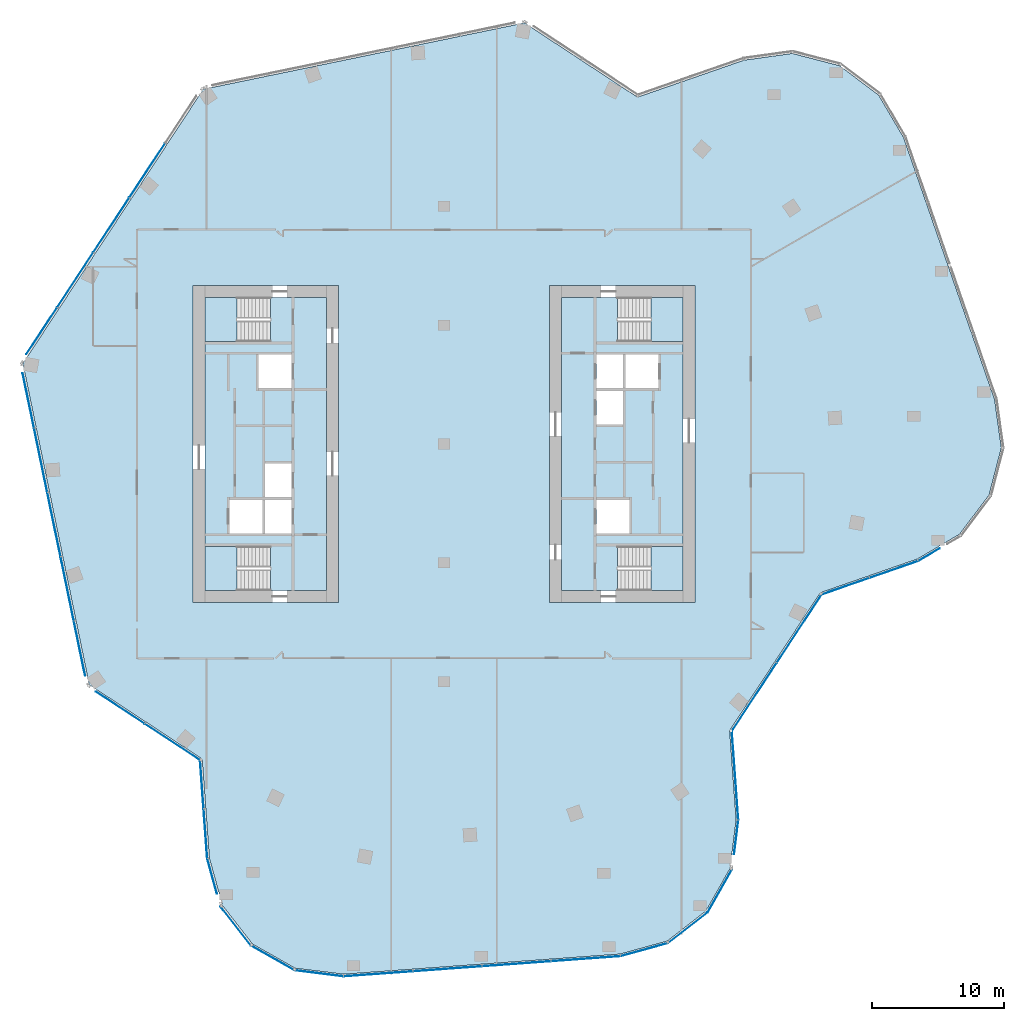
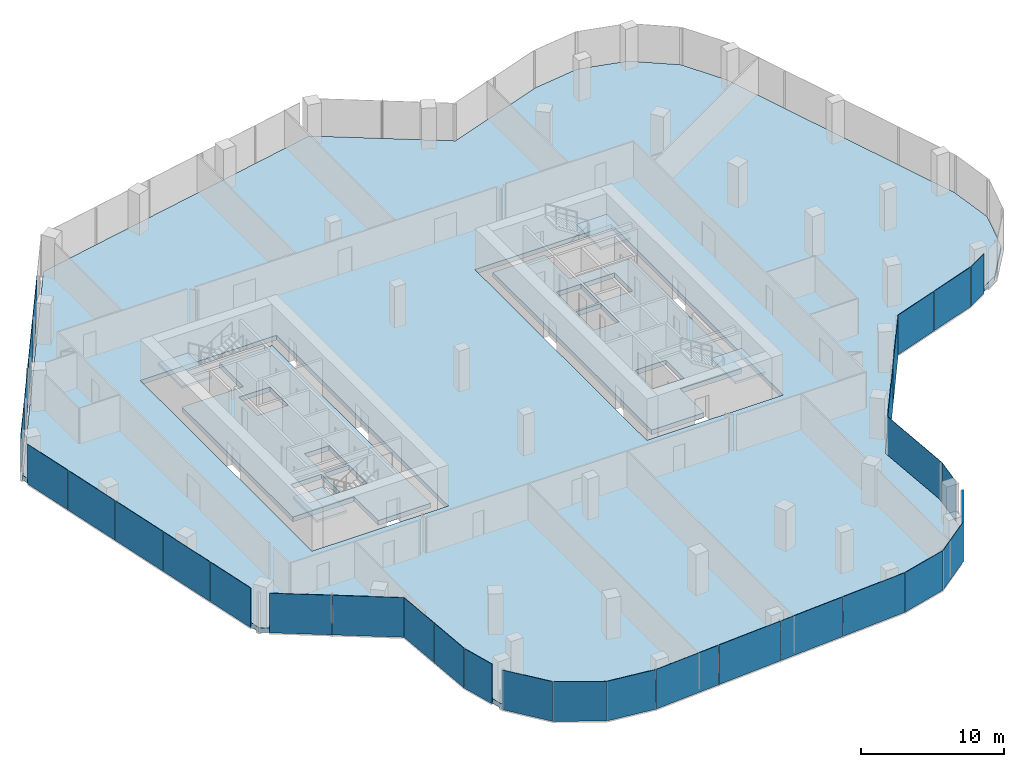
# One storey, part 16 of 24: 31 plates, 7 slabs, 21 elements without a shape of their own.
"""IFC4 building model written with IfcOpenShell, lengths in metres."""

from ifc_helpers import new_model, si_unit, direction, frame, origin, origin_2d, place, context, subcontext, project, spatial, polyline, rectangle, outline, extrude, material, layer, layer_set, type_object, element, aggregate, save


model = new_model("IFC4")

# Units and contexts
model_context = context("Model", 3, precision=1e-05, world=origin(), true_north=direction((0.0, 1.0)))
body_context = subcontext(model_context, "Body", "Model", "MODEL_VIEW")
ifc_project = project(units=[si_unit("LENGTHUNIT", "METRE"), si_unit("AREAUNIT", "SQUARE_METRE"), si_unit("VOLUMEUNIT", "CUBIC_METRE"), si_unit("PLANEANGLEUNIT", "RADIAN"), si_unit("MASSUNIT", "GRAM", prefix="KILO")], contexts=[model_context])

# Site, building, storey
site_placement = place(None, origin())
site = spatial("IfcSite", under=ifc_project, at=site_placement, CompositionType="ELEMENT")
building_placement = place(site_placement, origin())
building = spatial("IfcBuilding", under=site, at=building_placement, Name="Orlundy Tower", CompositionType="ELEMENT")
storey_placement = place(building_placement, frame((0.0, 0.0, 239.0)))
storey = spatial("IfcBuildingStorey", under=building, at=storey_placement, Name="L63", CompositionType="ELEMENT", Elevation=239.0)

# Curtain wall, plates
ifc_material_1 = material(Name="Aluminium bronze anodised", Category="aluminium")
curtain_wall_type = type_object("IfcCurtainWallType", Name="CW1 wall", PredefinedType="NOTDEFINED", material=ifc_material_1)
curtain_wall_1_placement = place(storey_placement, origin())
curtain_wall_1 = element("IfcCurtainWall", 1, at=curtain_wall_1_placement, inside=storey, type_object=curtain_wall_type, Name="CW1 run 00", PredefinedType="NOTDEFINED")
ifc_material_2 = material(Name="Tinted glass", Category="glass")
ifc_layer_1 = layer(ifc_material_2, 0.031982421875)
ifc_layer_set_1 = layer_set([ifc_layer_1], Name="CW1 glass panel 32")
plate_type = type_object("IfcPlateType", Name="CW1 glass panel 32", PredefinedType="CURTAIN_PANEL", material=ifc_layer_set_1)
plate_1_placement = place(storey_placement, frame((34.071044921875, -9.505126953125, -0.280029296875), z_axis=(0.0, 0.0, 1.0), x_axis=(-0.944599002584, -0.328226635601, 0.0)))
plate_1 = element("IfcPlate", 2, at=plate_1_placement, type_object=plate_type, Name="CW1 panel", PredefinedType="CURTAIN_PANEL", context=body_context, shape_type="SweptSolid", body=[
    extrude(rectangle(XDim=3.858154296875, YDim=0.031982421875, at=origin_2d()), origin(), (0.0, 0.0, 1.0), 3.3798828125),
])
plate_2_placement = place(storey_placement, frame((30.401611328125, -10.780029296875, -0.280029296875), z_axis=(0.0, 0.0, 1.0), x_axis=(-0.944599002584, -0.328226635601, 0.0)))
plate_2 = element("IfcPlate", 3, at=plate_2_placement, type_object=plate_type, Name="CW1 panel", PredefinedType="CURTAIN_PANEL", context=body_context, shape_type="SweptSolid", body=[
    extrude(rectangle(XDim=3.8115234375, YDim=0.031982421875, at=origin_2d()), origin(), (0.0, 0.0, 1.0), 3.3798828125),
])
aggregate(curtain_wall_1, [plate_1, plate_2])

curtain_wall_2_placement = place(storey_placement, origin())
curtain_wall_2 = element("IfcCurtainWall", 4, at=curtain_wall_2_placement, inside=storey, type_object=curtain_wall_type, Name="CW1 run 01", PredefinedType="NOTDEFINED")
plate_3_placement = place(storey_placement, frame((26.908447265625, -13.97998046875, -0.280029296875), z_axis=(0.0, 0.0, 1.0), x_axis=(-0.549495877226, -0.835496427827, 0.0)))
plate_3 = element("IfcPlate", 5, at=plate_3_placement, type_object=plate_type, Name="CW1 panel", PredefinedType="CURTAIN_PANEL", context=body_context, shape_type="SweptSolid", body=[
    extrude(rectangle(XDim=6.162353515625, YDim=0.031982421875, at=origin_2d()), origin(), (0.0, 0.0, 1.0), 3.3798828125),
])
plate_4_placement = place(storey_placement, frame((23.49462890625, -19.17041015625, -0.280029296875), z_axis=(0.0, 0.0, 1.0), x_axis=(-0.549495877226, -0.835496427827, 0.0)))
plate_4 = element("IfcPlate", 6, at=plate_4_placement, type_object=plate_type, Name="CW1 panel", PredefinedType="CURTAIN_PANEL", context=body_context, shape_type="SweptSolid", body=[
    extrude(rectangle(XDim=6.162353515625, YDim=0.031982421875, at=origin_2d()), origin(), (0.0, 0.0, 1.0), 3.3798828125),
])
aggregate(curtain_wall_2, [plate_3, plate_4])

# Curtain wall, plate
curtain_wall_3_placement = place(storey_placement, origin())
curtain_wall_3 = element("IfcCurtainWall", 7, at=curtain_wall_3_placement, inside=storey, type_object=curtain_wall_type, Name="CW1 run 02", PredefinedType="NOTDEFINED")
plate_5_placement = place(storey_placement, frame((22.045654296875, -25.095947265625, -0.280029296875), z_axis=(0.0, 0.0, 1.0), x_axis=(0.072660980026, -0.997356697467, 0.0)))
plate_5 = element("IfcPlate", 8, at=plate_5_placement, type_object=plate_type, Name="CW1 panel", PredefinedType="CURTAIN_PANEL", context=body_context, shape_type="SweptSolid", body=[
    extrude(rectangle(XDim=6.72021484375, YDim=0.031982421875, at=origin_2d()), origin(), (0.0, 0.0, 1.0), 3.3798828125),
])
aggregate(curtain_wall_3, [plate_5])

curtain_wall_4_placement = place(storey_placement, origin())
curtain_wall_4 = element("IfcCurtainWall", 9, at=curtain_wall_4_placement, inside=storey, type_object=curtain_wall_type, Name="CW1 run 03", PredefinedType="NOTDEFINED")
plate_6_placement = place(storey_placement, frame((22.12939453125, -29.779296875, -0.280029296875), z_axis=(0.0, 0.0, 1.0), x_axis=(-0.12330413281, -0.992368928792, 0.0)))
plate_6 = element("IfcPlate", 10, at=plate_6_placement, type_object=plate_type, Name="CW1 panel", PredefinedType="CURTAIN_PANEL", context=body_context, shape_type="SweptSolid", body=[
    extrude(rectangle(XDim=2.584228515625, YDim=0.031982421875, at=origin_2d()), origin(), (0.0, 0.0, 1.0), 3.3798828125),
])
aggregate(curtain_wall_4, [plate_6])

curtain_wall_5_placement = place(storey_placement, origin())
curtain_wall_5 = element("IfcCurtainWall", 11, at=curtain_wall_5_placement, inside=storey, type_object=curtain_wall_type, Name="CW1 run 04", PredefinedType="NOTDEFINED")
plate_7_placement = place(storey_placement, frame((20.897705078125, -33.83837890625, -0.280029296875), z_axis=(0.0, 0.0, 1.0), x_axis=(-0.493754430095, -0.869601381531, 0.0)))
plate_7 = element("IfcPlate", 12, at=plate_7_placement, type_object=plate_type, Name="CW1 panel", PredefinedType="CURTAIN_PANEL", context=body_context, shape_type="SweptSolid", body=[
    extrude(rectangle(XDim=3.771484375, YDim=0.031982421875, at=origin_2d()), origin(), (0.0, 0.0, 1.0), 3.3798828125),
])
aggregate(curtain_wall_5, [plate_7])

curtain_wall_6_placement = place(storey_placement, origin())
curtain_wall_6 = element("IfcCurtainWall", 13, at=curtain_wall_6_placement, inside=storey, type_object=curtain_wall_type, Name="CW1 run 05", PredefinedType="NOTDEFINED")
plate_8_placement = place(storey_placement, frame((18.478759765625, -36.637451171875, -0.280029296875), z_axis=(0.0, 0.0, 1.0), x_axis=(-0.788858043661, -0.614575452611, 0.0)))
plate_8 = element("IfcPlate", 14, at=plate_8_placement, type_object=plate_type, Name="CW1 panel", PredefinedType="CURTAIN_PANEL", context=body_context, shape_type="SweptSolid", body=[
    extrude(rectangle(XDim=3.77197265625, YDim=0.031982421875, at=origin_2d()), origin(), (0.0, 0.0, 1.0), 3.3798828125),
])
aggregate(curtain_wall_6, [plate_8])

curtain_wall_7_placement = place(storey_placement, origin())
curtain_wall_7 = element("IfcCurtainWall", 15, at=curtain_wall_7_placement, inside=storey, type_object=curtain_wall_type, Name="CW1 run 06", PredefinedType="NOTDEFINED")
plate_9_placement = place(storey_placement, frame((15.192626953125, -38.29248046875, -0.280029296875), z_axis=(0.0, 0.0, 1.0), x_axis=(-0.96398784948, -0.265946284152, 0.0)))
plate_9 = element("IfcPlate", 16, at=plate_9_placement, type_object=plate_type, Name="CW1 panel", PredefinedType="CURTAIN_PANEL", context=body_context, shape_type="SweptSolid", body=[
    extrude(rectangle(XDim=3.731201171875, YDim=0.031982421875, at=origin_2d()), origin(), (0.0, 0.0, 1.0), 3.3798828125),
])
aggregate(curtain_wall_7, [plate_9])

# Curtain wall, plates
curtain_wall_8_placement = place(storey_placement, origin())
curtain_wall_8 = element("IfcCurtainWall", 17, at=curtain_wall_8_placement, inside=storey, type_object=curtain_wall_type, Name="CW1 run 07", PredefinedType="NOTDEFINED")
plate_10_placement = place(storey_placement, frame((10.743896484375, -38.98681640625, -0.280029296875), z_axis=(0.0, 0.0, 1.0), x_axis=(-0.997356161969, -0.072668329988, 0.0)))
plate_10 = element("IfcPlate", 18, at=plate_10_placement, type_object=plate_type, Name="CW1 panel", PredefinedType="CURTAIN_PANEL", context=body_context, shape_type="SweptSolid", body=[
    extrude(rectangle(XDim=5.2158203125, YDim=0.031982421875, at=origin_2d()), origin(), (0.0, 0.0, 1.0), 3.3798828125),
])
plate_11_placement = place(storey_placement, frame((5.5, -39.368896484375, -0.280029296875), z_axis=(0.0, 0.0, 1.0), x_axis=(-0.997356161969, -0.072668329988, 0.0)))
plate_11 = element("IfcPlate", 19, at=plate_11_placement, type_object=plate_type, Name="CW1 panel", PredefinedType="CURTAIN_PANEL", context=body_context, shape_type="SweptSolid", body=[
    extrude(rectangle(XDim=5.199951171875, YDim=0.031982421875, at=origin_2d()), origin(), (0.0, 0.0, 1.0), 3.3798828125),
])
plate_12_placement = place(storey_placement, frame((0.263916015625, -39.750244140625, -0.280029296875), z_axis=(0.0, 0.0, 1.0), x_axis=(-0.997356161969, -0.072668329988, 0.0)))
plate_12 = element("IfcPlate", 20, at=plate_12_placement, type_object=plate_type, Name="CW1 panel", PredefinedType="CURTAIN_PANEL", context=body_context, shape_type="SweptSolid", body=[
    extrude(rectangle(XDim=5.199951171875, YDim=0.031982421875, at=origin_2d()), origin(), (0.0, 0.0, 1.0), 3.3798828125),
])
plate_13_placement = place(storey_placement, frame((-4.97998046875, -40.13232421875, -0.280029296875), z_axis=(0.0, 0.0, 1.0), x_axis=(-0.997356161969, -0.072668329988, 0.0)))
plate_13 = element("IfcPlate", 21, at=plate_13_placement, type_object=plate_type, Name="CW1 panel", PredefinedType="CURTAIN_PANEL", context=body_context, shape_type="SweptSolid", body=[
    extrude(rectangle(XDim=5.2158203125, YDim=0.031982421875, at=origin_2d()), origin(), (0.0, 0.0, 1.0), 3.3798828125),
])
aggregate(curtain_wall_8, [plate_10, plate_11, plate_12, plate_13])

# Curtain wall, plate
curtain_wall_9_placement = place(storey_placement, origin())
curtain_wall_9 = element("IfcCurtainWall", 22, at=curtain_wall_9_placement, inside=storey, type_object=curtain_wall_type, Name="CW1 run 08", PredefinedType="NOTDEFINED")
plate_14_placement = place(storey_placement, frame((-9.482421875, -40.090087890625, -0.280029296875), z_axis=(0.0, 0.0, 1.0), x_axis=(-0.992339997357, 0.123536754229, 0.0)))
plate_14 = element("IfcPlate", 23, at=plate_14_placement, type_object=plate_type, Name="CW1 panel", PredefinedType="CURTAIN_PANEL", context=body_context, shape_type="SweptSolid", body=[
    extrude(rectangle(XDim=3.73095703125, YDim=0.031982421875, at=origin_2d()), origin(), (0.0, 0.0, 1.0), 3.3798828125),
])
aggregate(curtain_wall_9, [plate_14])

curtain_wall_10_placement = place(storey_placement, origin())
curtain_wall_10 = element("IfcCurtainWall", 24, at=curtain_wall_10_placement, inside=storey, type_object=curtain_wall_type, Name="CW1 run 09", PredefinedType="NOTDEFINED")
plate_15_placement = place(storey_placement, frame((-12.973388671875, -38.9287109375, -0.280029296875), z_axis=(0.0, 0.0, 1.0), x_axis=(-0.869601381531, 0.493754430095, 0.0)))
plate_15 = element("IfcPlate", 25, at=plate_15_placement, type_object=plate_type, Name="CW1 panel", PredefinedType="CURTAIN_PANEL", context=body_context, shape_type="SweptSolid", body=[
    extrude(rectangle(XDim=3.771484375, YDim=0.031982421875, at=origin_2d()), origin(), (0.0, 0.0, 1.0), 3.3798828125),
])
aggregate(curtain_wall_10, [plate_15])

curtain_wall_11_placement = place(storey_placement, origin())
curtain_wall_11 = element("IfcCurtainWall", 26, at=curtain_wall_11_placement, inside=storey, type_object=curtain_wall_type, Name="CW1 run 010", PredefinedType="NOTDEFINED")
plate_16_placement = place(storey_placement, frame((-15.7724609375, -36.509765625, -0.280029296875), z_axis=(0.0, 0.0, 1.0), x_axis=(-0.614575452611, 0.788858043661, 0.0)))
plate_16 = element("IfcPlate", 27, at=plate_16_placement, type_object=plate_type, Name="CW1 panel", PredefinedType="CURTAIN_PANEL", context=body_context, shape_type="SweptSolid", body=[
    extrude(rectangle(XDim=3.77197265625, YDim=0.031982421875, at=origin_2d()), origin(), (0.0, 0.0, 1.0), 3.3798828125),
])
aggregate(curtain_wall_11, [plate_16])

curtain_wall_12_placement = place(storey_placement, origin())
curtain_wall_12 = element("IfcCurtainWall", 28, at=curtain_wall_12_placement, inside=storey, type_object=curtain_wall_type, Name="CW1 run 011", PredefinedType="NOTDEFINED")
plate_17_placement = place(storey_placement, frame((-17.559814453125, -32.742431640625, -0.280029296875), z_axis=(0.0, 0.0, 1.0), x_axis=(-0.265764722051, 0.964037920682, 0.0)))
plate_17 = element("IfcPlate", 29, at=plate_17_placement, type_object=plate_type, Name="CW1 panel", PredefinedType="CURTAIN_PANEL", context=body_context, shape_type="SweptSolid", body=[
    extrude(rectangle(XDim=2.730712890625, YDim=0.031982421875, at=origin_2d()), origin(), (0.0, 0.0, 1.0), 3.3798828125),
])
aggregate(curtain_wall_12, [plate_17])

# Curtain wall, plates
curtain_wall_13_placement = place(storey_placement, origin())
curtain_wall_13 = element("IfcCurtainWall", 30, at=curtain_wall_13_placement, inside=storey, type_object=curtain_wall_type, Name="CW1 run 012", PredefinedType="NOTDEFINED")
plate_18_placement = place(storey_placement, frame((-18.06689453125, -29.515625, -0.280029296875), z_axis=(0.0, 0.0, 1.0), x_axis=(-0.072746976548, 0.997350428587, 0.0)))
plate_18 = element("IfcPlate", 31, at=plate_18_placement, type_object=plate_type, Name="CW1 panel", PredefinedType="CURTAIN_PANEL", context=body_context, shape_type="SweptSolid", body=[
    extrude(rectangle(XDim=3.732421875, YDim=0.031982421875, at=origin_2d()), origin(), (0.0, 0.0, 1.0), 3.3798828125),
])
plate_19_placement = place(storey_placement, frame((-18.339599609375, -25.779052734375, -0.280029296875), z_axis=(0.0, 0.0, 1.0), x_axis=(-0.072746976548, 0.997350428587, 0.0)))
plate_19 = element("IfcPlate", 32, at=plate_19_placement, type_object=plate_type, Name="CW1 panel", PredefinedType="CURTAIN_PANEL", context=body_context, shape_type="SweptSolid", body=[
    extrude(rectangle(XDim=3.66064453125, YDim=0.031982421875, at=origin_2d()), origin(), (0.0, 0.0, 1.0), 3.3798828125),
])
aggregate(curtain_wall_13, [plate_18, plate_19])

curtain_wall_14_placement = place(storey_placement, origin())
curtain_wall_14 = element("IfcCurtainWall", 33, at=curtain_wall_14_placement, inside=storey, type_object=curtain_wall_type, Name="CW1 run 013", PredefinedType="NOTDEFINED")
plate_20_placement = place(storey_placement, frame((-20.56640625, -22.576416015625, -0.280029296875), z_axis=(0.0, 0.0, 1.0), x_axis=(-0.835476099694, 0.54952678446, 0.0)))
plate_20 = element("IfcPlate", 34, at=plate_20_placement, type_object=plate_type, Name="CW1 panel", PredefinedType="CURTAIN_PANEL", context=body_context, shape_type="SweptSolid", body=[
    extrude(rectangle(XDim=5.01220703125, YDim=0.031982421875, at=origin_2d()), origin(), (0.0, 0.0, 1.0), 3.3798828125),
])
plate_21_placement = place(storey_placement, frame((-24.5302734375, -19.96923828125, -0.280029296875), z_axis=(0.0, 0.0, 1.0), x_axis=(-0.835476099694, 0.54952678446, 0.0)))
plate_21 = element("IfcPlate", 35, at=plate_21_placement, type_object=plate_type, Name="CW1 panel", PredefinedType="CURTAIN_PANEL", context=body_context, shape_type="SweptSolid", body=[
    extrude(rectangle(XDim=4.376708984375, YDim=0.031982421875, at=origin_2d()), origin(), (0.0, 0.0, 1.0), 3.3798828125),
])
aggregate(curtain_wall_14, [plate_20, plate_21])

curtain_wall_15_placement = place(storey_placement, origin())
curtain_wall_15 = element("IfcCurtainWall", 36, at=curtain_wall_15_placement, inside=storey, type_object=curtain_wall_type, Name="CW1 run 014", PredefinedType="NOTDEFINED")
plate_22_placement = place(storey_placement, frame((-27.60009765625, -15.496337890625, -0.280029296875), z_axis=(0.0, 0.0, 1.0), x_axis=(-0.202233038095, 0.979337428215, 0.0)))
plate_22 = element("IfcPlate", 37, at=plate_22_placement, type_object=plate_type, Name="CW1 panel", PredefinedType="CURTAIN_PANEL", context=body_context, shape_type="SweptSolid", body=[
    extrude(rectangle(XDim=4.228271484375, YDim=0.031982421875, at=origin_2d()), origin(), (0.0, 0.0, 1.0), 3.3798828125),
])
plate_23_placement = place(storey_placement, frame((-28.535400390625, -10.967529296875, -0.280029296875), z_axis=(0.0, 0.0, 1.0), x_axis=(-0.202233038095, 0.979337428215, 0.0)))
plate_23 = element("IfcPlate", 38, at=plate_23_placement, type_object=plate_type, Name="CW1 panel", PredefinedType="CURTAIN_PANEL", context=body_context, shape_type="SweptSolid", body=[
    extrude(rectangle(XDim=4.92041015625, YDim=0.031982421875, at=origin_2d()), origin(), (0.0, 0.0, 1.0), 3.3798828125),
])
plate_24_placement = place(storey_placement, frame((-29.54052734375, -6.099609375, -0.280029296875), z_axis=(0.0, 0.0, 1.0), x_axis=(-0.202233038095, 0.979337428215, 0.0)))
plate_24 = element("IfcPlate", 39, at=plate_24_placement, type_object=plate_type, Name="CW1 panel", PredefinedType="CURTAIN_PANEL", context=body_context, shape_type="SweptSolid", body=[
    extrude(rectangle(XDim=4.92041015625, YDim=0.031982421875, at=origin_2d()), origin(), (0.0, 0.0, 1.0), 3.3798828125),
])
plate_25_placement = place(storey_placement, frame((-30.5458984375, -1.23193359375, -0.280029296875), z_axis=(0.0, 0.0, 1.0), x_axis=(-0.202233038095, 0.979337428215, 0.0)))
plate_25 = element("IfcPlate", 40, at=plate_25_placement, type_object=plate_type, Name="CW1 panel", PredefinedType="CURTAIN_PANEL", context=body_context, shape_type="SweptSolid", body=[
    extrude(rectangle(XDim=4.92041015625, YDim=0.031982421875, at=origin_2d()), origin(), (0.0, 0.0, 1.0), 3.3798828125),
])
plate_26_placement = place(storey_placement, frame((-31.48095703125, 3.297119140625, -0.280029296875), z_axis=(0.0, 0.0, 1.0), x_axis=(-0.202233038095, 0.979337428215, 0.0)))
plate_26 = element("IfcPlate", 41, at=plate_26_placement, type_object=plate_type, Name="CW1 panel", PredefinedType="CURTAIN_PANEL", context=body_context, shape_type="SweptSolid", body=[
    extrude(rectangle(XDim=4.228759765625, YDim=0.031982421875, at=origin_2d()), origin(), (0.0, 0.0, 1.0), 3.3798828125),
])
aggregate(curtain_wall_15, [plate_22, plate_23, plate_24, plate_25, plate_26])

curtain_wall_16_placement = place(storey_placement, origin())
curtain_wall_16 = element("IfcCurtainWall", 42, at=curtain_wall_16_placement, inside=storey, type_object=curtain_wall_type, Name="CW1 run 015", PredefinedType="NOTDEFINED")
plate_27_placement = place(storey_placement, frame((-30.47412109375, 8.55859375, -0.280029296875), z_axis=(0.0, 0.0, 1.0), x_axis=(0.5495174705, 0.835482225793, 0.0)))
plate_27 = element("IfcPlate", 43, at=plate_27_placement, type_object=plate_type, Name="CW1 panel", PredefinedType="CURTAIN_PANEL", context=body_context, shape_type="SweptSolid", body=[
    extrude(rectangle(XDim=4.228759765625, YDim=0.031982421875, at=origin_2d()), origin(), (0.0, 0.0, 1.0), 3.3798828125),
])
plate_28_placement = place(storey_placement, frame((-27.932861328125, 12.42236328125, -0.280029296875), z_axis=(0.0, 0.0, 1.0), x_axis=(0.5495174705, 0.835482225793, 0.0)))
plate_28 = element("IfcPlate", 44, at=plate_28_placement, type_object=plate_type, Name="CW1 panel", PredefinedType="CURTAIN_PANEL", context=body_context, shape_type="SweptSolid", body=[
    extrude(rectangle(XDim=4.920654296875, YDim=0.031982421875, at=origin_2d()), origin(), (0.0, 0.0, 1.0), 3.3798828125),
])
plate_29_placement = place(storey_placement, frame((-25.201416015625, 16.5751953125, -0.280029296875), z_axis=(0.0, 0.0, 1.0), x_axis=(0.5495174705, 0.835482225793, 0.0)))
plate_29 = element("IfcPlate", 45, at=plate_29_placement, type_object=plate_type, Name="CW1 panel", PredefinedType="CURTAIN_PANEL", context=body_context, shape_type="SweptSolid", body=[
    extrude(rectangle(XDim=4.920654296875, YDim=0.031982421875, at=origin_2d()), origin(), (0.0, 0.0, 1.0), 3.3798828125),
])
plate_30_placement = place(storey_placement, frame((-22.47021484375, 20.72802734375, -0.280029296875), z_axis=(0.0, 0.0, 1.0), x_axis=(0.5495174705, 0.835482225793, 0.0)))
plate_30 = element("IfcPlate", 46, at=plate_30_placement, type_object=plate_type, Name="CW1 panel", PredefinedType="CURTAIN_PANEL", context=body_context, shape_type="SweptSolid", body=[
    extrude(rectangle(XDim=4.920654296875, YDim=0.031982421875, at=origin_2d()), origin(), (0.0, 0.0, 1.0), 3.3798828125),
])
aggregate(curtain_wall_16, [plate_27, plate_28, plate_29, plate_30])

# Curtain wall, plate
curtain_wall_17_placement = place(storey_placement, origin())
curtain_wall_17 = element("IfcCurtainWall", 47, at=curtain_wall_17_placement, inside=storey, type_object=curtain_wall_type, Name="CW1 run 027", PredefinedType="NOTDEFINED")
plate_31_placement = place(storey_placement, frame((36.74658203125, -8.37646484375, -0.280029296875), z_axis=(0.0, 0.0, 1.0), x_axis=(-0.862287730604, -0.506418670322, 0.0)))
plate_31 = element("IfcPlate", 48, at=plate_31_placement, type_object=plate_type, Name="CW1 panel", PredefinedType="CURTAIN_PANEL", context=body_context, shape_type="SweptSolid", body=[
    extrude(rectangle(XDim=1.873779296875, YDim=0.031982421875, at=origin_2d()), origin(), (0.0, 0.0, 1.0), 3.3798828125),
])
aggregate(curtain_wall_17, [plate_31])

# Slabs
ifc_material_3 = material(Name="Concrete C50/60", Category="concrete")
ifc_layer_2 = layer(ifc_material_3, 0.409912109375)
ifc_layer_set_2 = layer_set([ifc_layer_2], Name="Core Floor Slab 410")
slab_type_1 = type_object("IfcSlabType", Name="Core Floor Slab 410", PredefinedType="FLOOR", material=ifc_layer_set_2)
slab_1_placement = place(storey_placement, frame((0.0, 0.0, -0.409912109375)))
element("IfcSlab", 49, at=slab_1_placement, inside=storey, type_object=slab_type_1, Name="Core floor W48", PredefinedType="FLOOR", context=body_context, shape_type="SweptSolid", body=[
    extrude(outline(polyline([(-18.10009765625, 7.75), (-13.14501953125, 7.75), (-13.14501953125, 11.10009765625), (-8.89990234375, 11.10009765625), (-8.89990234375, -11.10009765625), (-13.14501953125, -11.10009765625), (-13.14501953125, -7.75), (-18.10009765625, -7.75), (-18.10009765625, 7.75)]), holes=[polyline([(-13.5400390625, -4.22509765625), (-13.5400390625, -6.77490234375), (-11.5400390625, -6.77490234375), (-11.5400390625, -4.22509765625), (-13.5400390625, -4.22509765625)]), polyline([(-13.739990234375, -4.22509765625), (-16.239990234375, -4.22509765625), (-16.239990234375, -6.77490234375), (-13.739990234375, -6.77490234375), (-13.739990234375, -4.22509765625)]), polyline([(-11.5400390625, -4.02490234375), (-11.5400390625, -1.47509765625), (-13.5400390625, -1.47509765625), (-13.5400390625, -4.02490234375), (-11.5400390625, -4.02490234375)]), polyline([(-14.0400390625, 4.22509765625), (-11.5400390625, 4.22509765625), (-11.5400390625, 6.77490234375), (-14.0400390625, 6.77490234375), (-14.0400390625, 4.22509765625)])]), origin(), (0.0, 0.0, 1.0), 0.409912109375),
])
slab_2_placement = place(storey_placement, frame((0.0, 0.0, -0.409912109375)))
element("IfcSlab", 50, at=slab_2_placement, inside=storey, type_object=slab_type_1, Name="Core floor E48", PredefinedType="FLOOR", context=body_context, shape_type="SweptSolid", body=[
    extrude(outline(polyline([(18.10009765625, -7.75), (13.14501953125, -7.75), (13.14501953125, -11.10009765625), (8.89990234375, -11.10009765625), (8.89990234375, 11.10009765625), (13.14501953125, 11.10009765625), (13.14501953125, 7.75), (18.10009765625, 7.75), (18.10009765625, -7.75)]), holes=[polyline([(13.5400390625, 4.22509765625), (13.5400390625, 6.77490234375), (11.5400390625, 6.77490234375), (11.5400390625, 4.22509765625), (13.5400390625, 4.22509765625)]), polyline([(13.739990234375, 4.22509765625), (16.239990234375, 4.22509765625), (16.239990234375, 6.77490234375), (13.739990234375, 6.77490234375), (13.739990234375, 4.22509765625)]), polyline([(11.5400390625, 4.02490234375), (11.5400390625, 1.47509765625), (13.5400390625, 1.47509765625), (13.5400390625, 4.02490234375), (11.5400390625, 4.02490234375)]), polyline([(14.0400390625, -4.22509765625), (11.5400390625, -4.22509765625), (11.5400390625, -6.77490234375), (14.0400390625, -6.77490234375), (14.0400390625, -4.22509765625)])]), origin(), (0.0, 0.0, 1.0), 0.409912109375),
])

# Stair, slab
ifc_material_4 = material(Name="Concrete C50/60", Category="concrete")
stair_type = type_object("IfcStairType", Name="Exit Stair 20 risers", PredefinedType="HALF_TURN_STAIR", material=ifc_material_4)
stair_1_placement = place(storey_placement, origin())
stair_1 = element("IfcStair", 51, at=stair_1_placement, inside=storey, type_object=stair_type, Name="L63 Exit Stair ST-W1", PredefinedType="HALF_TURN_STAIR")
ifc_material_5 = material(Name="Concrete C50/60", Category="concrete")
ifc_layer_3 = layer(ifc_material_5, 0.199951171875)
ifc_layer_set_3 = layer_set([ifc_layer_3], Name="Exit Stair Landing")
slab_type_2 = type_object("IfcSlabType", Name="Exit Stair Landing", PredefinedType="LANDING", material=ifc_layer_set_3)
slab_3_placement = place(storey_placement, frame((0.0, 0.0, 1.550048828125)))
slab_3 = element("IfcSlab", 52, at=slab_3_placement, type_object=slab_type_2, Name="ST-W1 landing 1", PredefinedType="LANDING", context=body_context, shape_type="SweptSolid", body=[
    extrude(outline(polyline([(-15.659912109375, 11.10009765625), (-18.10009765625, 11.10009765625), (-18.10009765625, 7.75), (-15.659912109375, 7.75), (-15.659912109375, 11.10009765625)])), origin(), (0.0, 0.0, 1.0), 0.199951171875),
])
aggregate(stair_1, [slab_3])

stair_2_placement = place(storey_placement, origin())
stair_2 = element("IfcStair", 53, at=stair_2_placement, inside=storey, type_object=stair_type, Name="L63 Exit Stair ST-W2", PredefinedType="HALF_TURN_STAIR")
slab_4_placement = place(storey_placement, frame((0.0, 0.0, 1.550048828125)))
slab_4 = element("IfcSlab", 54, at=slab_4_placement, type_object=slab_type_2, Name="ST-W2 landing 1", PredefinedType="LANDING", context=body_context, shape_type="SweptSolid", body=[
    extrude(outline(polyline([(-15.659912109375, -7.75), (-18.10009765625, -7.75), (-18.10009765625, -11.10009765625), (-15.659912109375, -11.10009765625), (-15.659912109375, -7.75)])), origin(), (0.0, 0.0, 1.0), 0.199951171875),
])
aggregate(stair_2, [slab_4])

stair_3_placement = place(storey_placement, origin())
stair_3 = element("IfcStair", 55, at=stair_3_placement, inside=storey, type_object=stair_type, Name="L63 Exit Stair ST-E1", PredefinedType="HALF_TURN_STAIR")
slab_5_placement = place(storey_placement, frame((0.0, 0.0, 1.550048828125)))
slab_5 = element("IfcSlab", 56, at=slab_5_placement, type_object=slab_type_2, Name="ST-E1 landing 1", PredefinedType="LANDING", context=body_context, shape_type="SweptSolid", body=[
    extrude(outline(polyline([(15.659912109375, -11.10009765625), (18.10009765625, -11.10009765625), (18.10009765625, -7.75), (15.659912109375, -7.75), (15.659912109375, -11.10009765625)])), origin(), (0.0, 0.0, 1.0), 0.199951171875),
])
aggregate(stair_3, [slab_5])

stair_4_placement = place(storey_placement, origin())
stair_4 = element("IfcStair", 57, at=stair_4_placement, inside=storey, type_object=stair_type, Name="L63 Exit Stair ST-E2", PredefinedType="HALF_TURN_STAIR")
slab_6_placement = place(storey_placement, frame((0.0, 0.0, 1.550048828125)))
slab_6 = element("IfcSlab", 58, at=slab_6_placement, type_object=slab_type_2, Name="ST-E2 landing 1", PredefinedType="LANDING", context=body_context, shape_type="SweptSolid", body=[
    extrude(outline(polyline([(15.659912109375, 7.75), (18.10009765625, 7.75), (18.10009765625, 11.10009765625), (15.659912109375, 11.10009765625), (15.659912109375, 7.75)])), origin(), (0.0, 0.0, 1.0), 0.199951171875),
])
aggregate(stair_4, [slab_6])

# Slab
ifc_material_6 = material(Name="Concrete C45/55", Category="concrete")
ifc_layer_4 = layer(ifc_material_6, 0.39990234375)
ifc_layer_set_4 = layer_set([ifc_layer_4], Name="FLOOR SLAB THICK 400 C45/55")
slab_type_3 = type_object("IfcSlabType", Name="FLOOR SLAB THICK 400 C45/55", PredefinedType="FLOOR", material=ifc_layer_set_4)
slab_7_placement = place(storey_placement, frame((0.0, 0.0, -0.39990234375)))
element("IfcSlab", 59, at=slab_7_placement, inside=storey, type_object=slab_type_3, Name="Floor slab L63", PredefinedType="FLOOR", context=body_context, shape_type="SweptSolid", body=[
    extrude(outline(polyline([(28.4951171875, -11.26904296875), (21.634033203125, -21.700927734375), (22.126953125, -28.468017578125), (21.669921875, -32.14599609375), (19.840087890625, -35.368896484375), (16.916015625, -37.64697265625), (13.342041015625, -38.633056640625), (-7.60205078125, -40.158935546875), (-11.281005859375, -39.700927734375), (-14.50390625, -37.87109375), (-16.781982421875, -34.947021484375), (-17.76708984375, -31.3740234375), (-18.31494140625, -23.861083984375), (-26.866943359375, -18.236083984375), (-31.89306640625, 6.10302734375), (-18.236083984375, 26.866943359375), (6.10302734375, 31.89306640625), (14.656005859375, 26.26806640625), (22.715087890625, 29.069091796875), (26.386962890625, 29.580078125), (29.97412109375, 28.64599609375), (32.930908203125, 26.410888671875), (34.80810546875, 23.215087890625), (41.701904296875, 3.37890625), (42.212890625, -0.29296875), (41.280029296875, -3.8798828125), (39.0439453125, -6.8369140625), (35.847900390625, -8.714111328125), (28.4951171875, -11.26904296875)]), holes=[polyline([(-8.0, -12.0), (-8.0, 12.0), (-19.0, 12.0), (-19.0, -12.0), (-8.0, -12.0)]), polyline([(19.0, -12.0), (19.0, 12.0), (8.0, 12.0), (8.0, -12.0), (19.0, -12.0)])]), origin(), (0.0, 0.0, 1.0), 0.39990234375),
])

save(model, "model.ifc")
